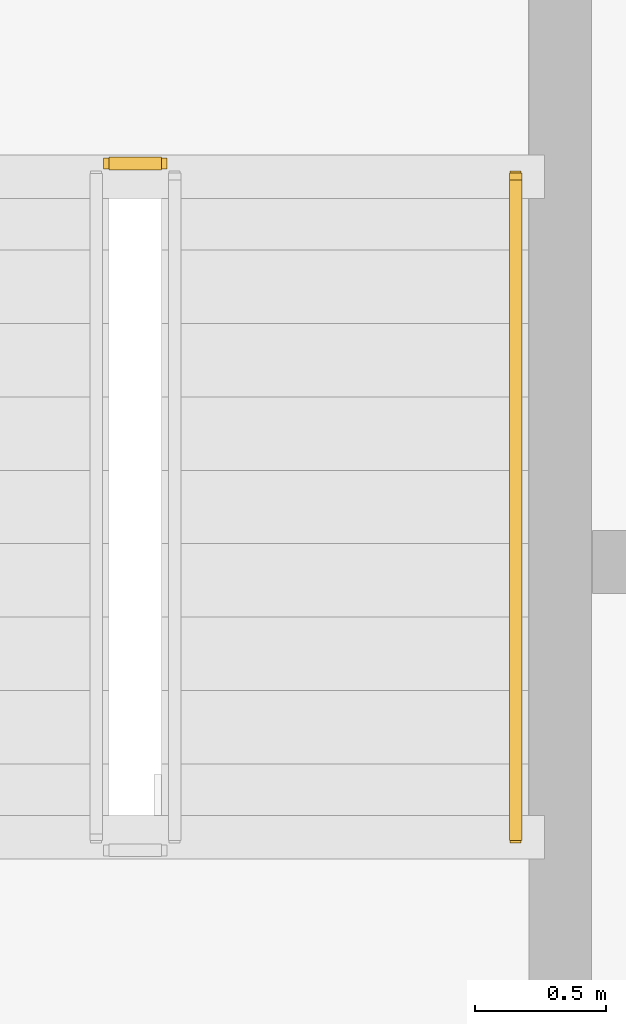
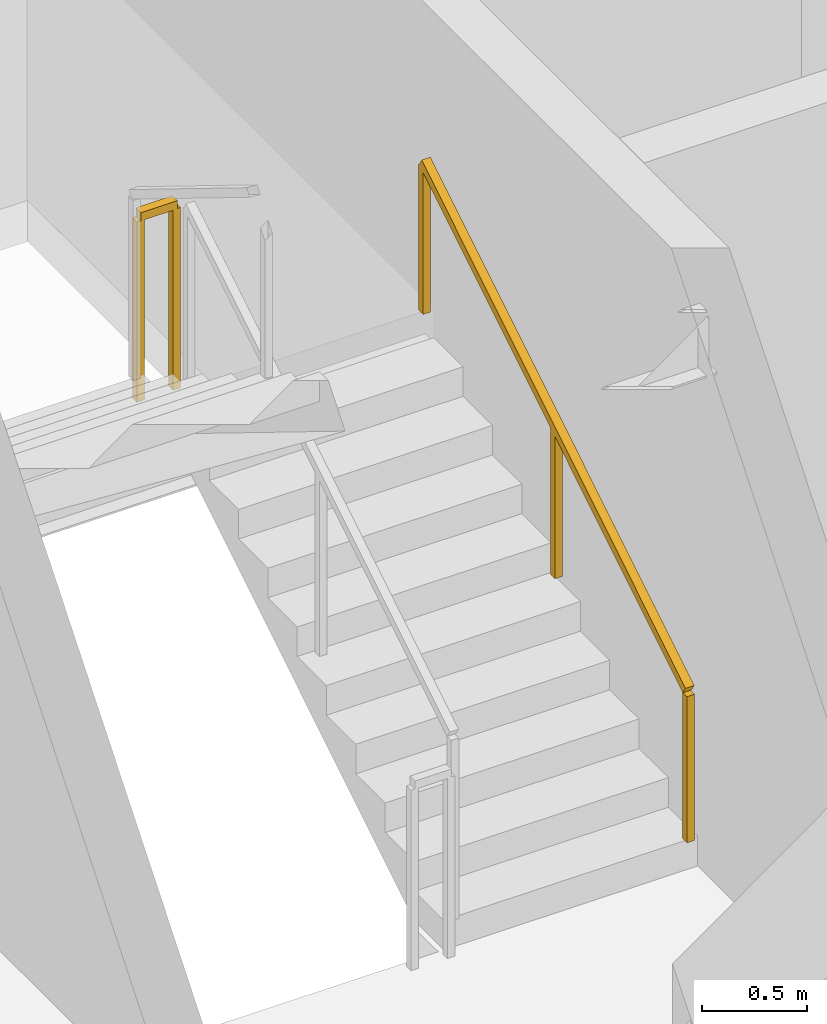
# One storey, part 10 of 11: 2 railings.
"""IFC4 building model written with IfcOpenShell, lengths in metres."""

import ifcopenshell
import ifcopenshell.guid

model = None  # the IFC model being written
_history = None  # IfcOwnerHistory: only IFC2X3 demands one
_inside = {}  # id of a spatial element -> (the spatial element, [elements in it])
_under = {}  # id of a project, library or spatial element -> (it, [spatial elements below it])
_declared = {}  # id of a project -> (the project, [libraries it declares])
_typed = {}  # id of a type object -> (the type object, [elements of that type])
_made_of = {}  # id of a material, layer set ... -> (it, [elements and type objects made of it])


def new_model(schema):
    """Start an empty IFC model of exactly this schema.

    Asked for "IFC4X3", IfcOpenShell would pick the latest addendum, in which some entities
    have other attributes; the version numbers below select the first issue.
    IFC2X3 requires an IfcOwnerHistory on every rooted entity: one is made here for all.
    """
    global model, _history
    if schema == "IFC4X3":
        model = ifcopenshell.file(schema_version=(4, 3, 0, 0))
    else:
        model = ifcopenshell.file(schema=schema)
    _inside.clear()
    _under.clear()
    _declared.clear()
    _typed.clear()
    _made_of.clear()
    _history = None
    if model.schema == "IFC2X3":
        org = make("IfcOrganization", Name="unknown")
        user = make(
            "IfcPersonAndOrganization",
            ThePerson=make("IfcPerson", FamilyName="unknown"),
            TheOrganization=org,
        )
        app = make(
            "IfcApplication",
            ApplicationDeveloper=org,
            Version="unknown",
            ApplicationFullName="unknown",
            ApplicationIdentifier="unknown",
        )
        _history = make(
            "IfcOwnerHistory",
            OwningUser=user,
            OwningApplication=app,
            ChangeAction="ADDED",
            CreationDate=0,
        )
    return model


def make(cls, **values):
    """One entity of the class cls with the attributes given. An attribute that is None is left unset."""
    return model.create_entity(
        cls, **{name: value for name, value in values.items() if value is not None}
    )


def rooted(cls, **values):
    """An entity with a GlobalId (a new one), such as an element, a storey or a relation."""
    return make(cls, GlobalId=ifcopenshell.guid.new(), OwnerHistory=_history, **values)


def si_unit(unit_type, name, prefix=None):
    """IfcSIUnit, for example si_unit("LENGTHUNIT", "METRE", prefix="MILLI")."""
    return make("IfcSIUnit", UnitType=unit_type, Prefix=prefix, Name=name)


def assignment(units):
    """IfcUnitAssignment: the units of a project."""
    return None if units is None else make("IfcUnitAssignment", Units=units)


def point(xyz):
    """IfcCartesianPoint."""
    return None if xyz is None else make("IfcCartesianPoint", Coordinates=xyz)


def direction(xyz):
    """IfcDirection."""
    return None if xyz is None else make("IfcDirection", DirectionRatios=xyz)


def frame(location, z_axis=None, x_axis=None):
    """IfcAxis2Placement3D, a coordinate frame: its origin and axes. An axis left out is left unset."""
    return make(
        "IfcAxis2Placement3D",
        Location=point(location),
        Axis=direction(z_axis),
        RefDirection=direction(x_axis),
    )


def frame_2d(location, x_axis=None):
    """IfcAxis2Placement2D, a coordinate frame in the plane: its origin and x axis."""
    return make(
        "IfcAxis2Placement2D", Location=point(location), RefDirection=direction(x_axis)
    )


def origin():
    """The frame at (0, 0, 0) with its axes left unset."""
    return frame((0.0, 0.0, 0.0))


def origin_2d():
    """The frame at (0, 0) in the plane with its x axis left unset."""
    return frame_2d((0.0, 0.0))


def place(relative_to, where):
    """IfcLocalPlacement: puts the frame where relative to a parent placement (None: the world)."""
    return make(
        "IfcLocalPlacement", PlacementRelTo=relative_to, RelativePlacement=where
    )


def context(
    kind, dimensions, precision=None, world=None, true_north=None, identifier=None
):
    """IfcGeometricRepresentationContext, for example the 3D "Model" context."""
    return make(
        "IfcGeometricRepresentationContext",
        ContextIdentifier=identifier,
        ContextType=kind,
        CoordinateSpaceDimension=dimensions,
        Precision=precision,
        WorldCoordinateSystem=world,
        TrueNorth=true_north,
    )


def subcontext(parent, identifier, kind, view, scale=None):
    """IfcGeometricRepresentationSubContext, for example "Body" below "Model"."""
    return make(
        "IfcGeometricRepresentationSubContext",
        ContextIdentifier=identifier,
        ContextType=kind,
        ParentContext=parent,
        TargetScale=scale,
        TargetView=view,
    )


def project(units=None, contexts=None):
    """IfcProject with its units and contexts."""
    return rooted(
        "IfcProject",
        Name="project",
        RepresentationContexts=contexts,
        UnitsInContext=assignment(units),
    )


def spatial(cls, under=None, at=None, **own):
    """A site, building, storey or space (cls), placed at a placement, below another one or the project."""
    s = rooted(cls, ObjectPlacement=at, **own)
    if under is not None:
        _under.setdefault(under.id(), (under, []))[1].append(s)
    return s


def profile(cls, at=None, kind="AREA", **sizes):
    """A parametric profile (cls). Its sizes go by their IFC names, for example OverallWidth=200.0."""
    return make(cls, ProfileType=kind, Position=at, **sizes)


def rectangle(**sizes):
    """IfcRectangleProfileDef."""
    return profile("IfcRectangleProfileDef", **sizes)


def extrude(swept, where, along, depth):
    """IfcExtrudedAreaSolid: the profile swept, set in the frame where, extruded along a direction by depth."""
    return make(
        "IfcExtrudedAreaSolid",
        SweptArea=swept,
        Position=where,
        ExtrudedDirection=direction(along),
        Depth=depth,
    )


def shape(context_of_items, identifier, shape_type, items):
    """IfcShapeRepresentation: the items that make up one representation, for example the "Body"."""
    return make(
        "IfcShapeRepresentation",
        ContextOfItems=context_of_items,
        RepresentationIdentifier=identifier,
        RepresentationType=shape_type,
        Items=items,
    )


def material(Name=None, Category=None):
    """IfcMaterial."""
    return make("IfcMaterial", Name=Name, Category=Category)


def made_of(thing, what):
    """Note that an element or type object is made of a material, layer set ...; save() writes the relation."""
    if what is not None:
        _made_of.setdefault(what.id(), (what, []))[1].append(thing)
    return thing


def type_object(cls, material=None, **own):
    """A type object (cls), such as IfcWallType, which elements share."""
    return made_of(rooted(cls, **own), material)


def element(
    cls,
    number,
    at=None,
    inside=None,
    cuts=None,
    type_object=None,
    material=None,
    context=None,
    identifier="Body",
    shape_type=None,
    held_by="IfcProductDefinitionShape",
    body=None,
    shapes=None,
    **own,
):
    """One element of the class cls, such as IfcWall. Its Tag is "e" and its number.

    at: its placement. inside: the storey or other place that contains it. cuts: it is an
    opening in that element (IfcRelVoidsElement). A single representation is given by context,
    identifier, shape_type and body (its items); several are given by shapes. held_by: the class
    of the entity that holds the representations. save() writes the other relations.
    """
    e = rooted(cls, Tag="e%d" % number, ObjectPlacement=at, **own)
    if body is not None:
        shapes = [shape(context, identifier, shape_type, body)]
    if shapes is not None:
        e.Representation = make(held_by, Representations=shapes)
    if inside is not None:
        _inside.setdefault(inside.id(), (inside, []))[1].append(e)
    if cuts is not None:
        rooted(
            "IfcRelVoidsElement", RelatingBuildingElement=cuts, RelatedOpeningElement=e
        )
    if type_object is not None:
        _typed.setdefault(type_object.id(), (type_object, []))[1].append(e)
    return made_of(e, material)


def aggregate(whole, parts):
    """IfcRelAggregates: a whole, such as a stair, and the parts it consists of."""
    return rooted("IfcRelAggregates", RelatingObject=whole, RelatedObjects=parts)


def save(model, path):
    """Write the relations noted so far, then the file.

    IfcRelAggregates (storeys below a building ...), IfcRelContainedInSpatialStructure (elements
    in a storey), IfcRelDefinesByType, IfcRelAssociatesMaterial and IfcRelDeclares: one each for
    every whole, place, type object, material and project.
    """
    for whole, parts in _under.values():
        aggregate(whole, parts)
    for where, things in _inside.values():
        rooted(
            "IfcRelContainedInSpatialStructure",
            RelatedElements=things,
            RelatingStructure=where,
        )
    for kind, things in _typed.values():
        rooted("IfcRelDefinesByType", RelatedObjects=things, RelatingType=kind)
    for what, things in _made_of.values():
        rooted("IfcRelAssociatesMaterial", RelatedObjects=things, RelatingMaterial=what)
    for by, libraries in _declared.values():
        rooted("IfcRelDeclares", RelatingContext=by, RelatedDefinitions=libraries)
    model.write(path)


model = new_model("IFC4")

# Units and contexts
model_context = context("Model", 3, precision=1e-05, world=origin(), true_north=direction((0.0, 1.0)))
body_context = subcontext(model_context, "Body", "Model", "MODEL_VIEW")
ifc_project = project(units=[si_unit("LENGTHUNIT", "METRE"), si_unit("AREAUNIT", "SQUARE_METRE"), si_unit("VOLUMEUNIT", "CUBIC_METRE"), si_unit("PLANEANGLEUNIT", "RADIAN"), si_unit("MASSUNIT", "GRAM", prefix="KILO")], contexts=[model_context])

# Site, building, storey
site_placement = place(None, origin())
site = spatial("IfcSite", under=ifc_project, at=site_placement, CompositionType="ELEMENT")
building_placement = place(site_placement, origin())
building = spatial("IfcBuilding", under=site, at=building_placement, Name="Haldorwick Loom Tower", CompositionType="ELEMENT")
storey_placement = place(building_placement, frame((0.0, 0.0, 230.550048828125)))
storey = spatial("IfcBuildingStorey", under=building, at=storey_placement, Name="L62", CompositionType="ELEMENT", Elevation=230.550048828125)

# Railings
ifc_material = material(Name="Steel CSA G40.21 350W", Category="steel")
railing_type_1 = type_object("IfcRailingType", Name="ARC-RLG-GUARD112", PredefinedType="GUARDRAIL", material=ifc_material)
railing_1_placement = place(storey_placement, frame((31.85009765625, 30.969970703125, 1.724853515625)))
element("IfcRailing", 1, at=railing_1_placement, inside=storey, type_object=railing_type_1, Name="L62 ST-03 stair guard 2", PredefinedType="GUARDRAIL", context=body_context, shape_type="SweptSolid", body=[
    extrude(rectangle(XDim=0.048095703125, YDim=0.048095703125, at=origin_2d()), frame((0.0, 0.0, 1.076171875), z_axis=(-1.0, 0.0, 0.0), x_axis=(0.0, -1.0, 0.0)), (0.0, 0.0, 1.0), 0.2001953125),
    extrude(rectangle(XDim=0.0419921875, YDim=0.0419921875, at=origin_2d()), origin(), (0.0, 0.0, 1.0), 1.052001953125),
    extrude(rectangle(XDim=0.0419921875, YDim=0.0419921875, at=origin_2d()), frame((-0.2001953125, 0.0, 0.0)), (0.0, 0.0, 1.0), 1.052001953125),
])
railing_type_2 = type_object("IfcRailingType", Name="ARC-RLG-HAND092", PredefinedType="HANDRAIL", material=ifc_material)
railing_2_placement = place(storey_placement, frame((33.199951171875, 28.39990234375, 0.17236328125)))
element("IfcRailing", 2, at=railing_2_placement, inside=storey, type_object=railing_type_2, Name="L62 ST-03 stair handrail 1", PredefinedType="HANDRAIL", context=body_context, shape_type="SweptSolid", body=[
    extrude(rectangle(XDim=0.048095703125, YDim=0.048095703125, at=origin_2d()), frame((0.0, 0.0, 0.8759765625), z_axis=(0.0, 0.851400495292, 0.524516154772), x_axis=(-1.0, 0.0, 0.0)), (0.0, 0.0, 1.0), 2.9599609375),
    extrude(rectangle(XDim=0.0419921875, YDim=0.0419921875, at=origin_2d()), origin(), (0.0, 0.0, 1.0), 0.851806640625),
    extrude(rectangle(XDim=0.0419921875, YDim=0.0419921875, at=origin_2d()), frame((0.0, 1.260009765625, 0.7763671875)), (0.0, 0.0, 1.0), 0.851806640625),
    extrude(rectangle(XDim=0.0419921875, YDim=0.0419921875, at=origin_2d()), frame((0.0, 2.52001953125, 1.552490234375)), (0.0, 0.0, 1.0), 0.851806640625),
])

save(model, "model.ifc")
